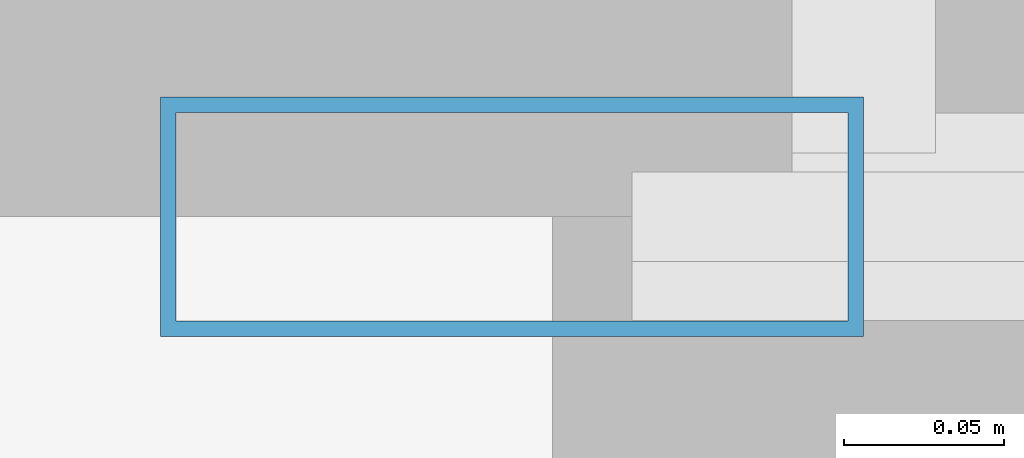
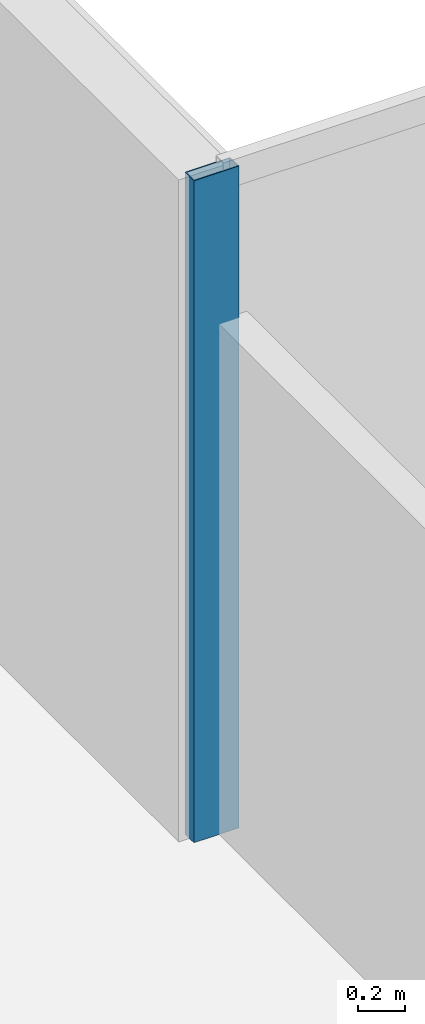
# One storey, part 6 of 22: 1 member, 1 element without a shape of its own.
"""IFC4 building model written with IfcOpenShell, lengths in metres."""

from ifc_helpers import new_model, si_unit, direction, frame, origin, origin_2d, place, context, subcontext, project, spatial, hollow_rectangle, extrude, material, layer, layer_set, material_profile, profile_set, type_object, element, aggregate, save


model = new_model("IFC4")

# Units and contexts
model_context = context("Model", 3, precision=1e-05, world=origin(), true_north=direction((0.0, 1.0)))
body_context = subcontext(model_context, "Body", "Model", "MODEL_VIEW")
ifc_project = project(units=[si_unit("LENGTHUNIT", "METRE"), si_unit("AREAUNIT", "SQUARE_METRE"), si_unit("VOLUMEUNIT", "CUBIC_METRE"), si_unit("PLANEANGLEUNIT", "RADIAN"), si_unit("MASSUNIT", "GRAM", prefix="KILO")], contexts=[model_context])

# Site, building, storey
site_placement = place(None, origin())
site = spatial("IfcSite", under=ifc_project, at=site_placement, CompositionType="ELEMENT")
building_placement = place(site_placement, origin())
building = spatial("IfcBuilding", under=site, at=building_placement, Name="Tanjung Sevakor Pilgrim Tower", CompositionType="ELEMENT")
storey_placement = place(building_placement, frame((0.0, 0.0, 115.830078125)))
storey = spatial("IfcBuildingStorey", under=building, at=storey_placement, Name="L32", CompositionType="ELEMENT", Elevation=115.830078125)

# Curtain wall, member
ifc_material_1 = material(Name="Aluminium 6063-T6 and Low-E Glass", Category="aluminium")
ifc_layer = layer(ifc_material_1, 0.179931640625)
ifc_layer_set = layer_set([ifc_layer], Name="CW-SYS-CLEFT")
curtain_wall_type = type_object("IfcCurtainWallType", Name="CW-SYS-CLEFT", PredefinedType="NOTDEFINED", material=ifc_layer_set)
curtain_wall_placement = place(storey_placement, origin())
curtain_wall = element("IfcCurtainWall", 1, at=curtain_wall_placement, inside=storey, type_object=curtain_wall_type, Name="L32 Curtain Wall CW-CLF-L32-10", PredefinedType="NOTDEFINED")
ifc_material_2 = material(Name="Aluminium 6063-T6", Category="aluminium")
ifc_material_profile = material_profile(ifc_material_2, hollow_rectangle(XDim=0.074951171875, YDim=0.219970703125, WallThickness=0.0048828125, at=origin_2d()))
ifc_profile_set = profile_set([ifc_material_profile], Name="Aluminium 6063-T6")
member_type = type_object("IfcMemberType", Name="TYPE-CWM-2", PredefinedType="MULLION", material=ifc_profile_set)
member_placement = place(storey_placement, frame((43.512451171875, 54.074951171875, 0.0), z_axis=(0.0, 0.0, 1.0), x_axis=(0.0, -1.0, 0.0)))
member = element("IfcMember", 2, at=member_placement, type_object=member_type, Name="CW-CLF mullion 2", PredefinedType="MULLION", context=body_context, shape_type="SweptSolid", body=[
    extrude(hollow_rectangle(XDim=0.074951171875, YDim=0.219970703125, WallThickness=0.0048828125, at=origin_2d()), origin(), (0.0, 0.0, 1.0), 3.409912109375),
])
aggregate(curtain_wall, [member])

save(model, "model.ifc")
